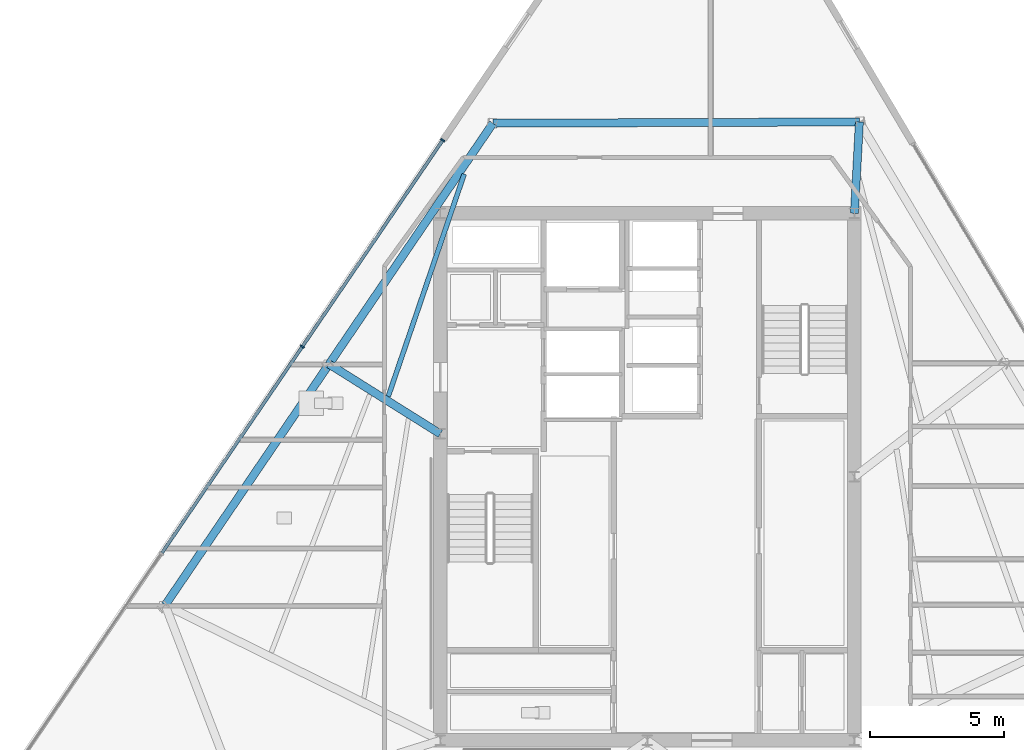
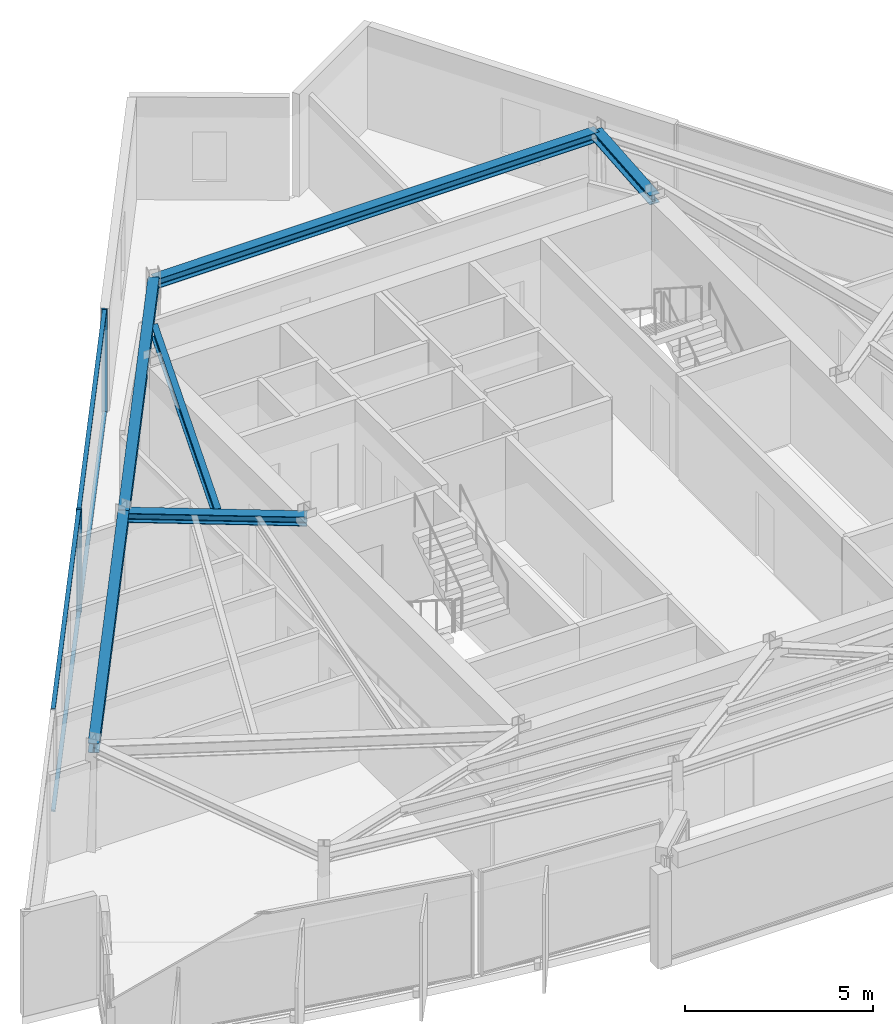
# One storey, part 4 of 13: 6 beams, 6 members, 1 element without a shape of its own.
"""IFC4 building model written with IfcOpenShell, lengths in metres."""

from ifc_helpers import new_model, si_unit, direction, frame, origin, origin_2d, place, context, subcontext, project, spatial, rectangle, i_section, extrude, material, material_profile, profile_set, type_object, element, aggregate, save


model = new_model("IFC4")

# Units and contexts
model_context = context("Model", 3, precision=1e-05, world=origin(), true_north=direction((0.0, 1.0)))
body_context = subcontext(model_context, "Body", "Model", "MODEL_VIEW")
ifc_project = project(units=[si_unit("LENGTHUNIT", "METRE"), si_unit("AREAUNIT", "SQUARE_METRE"), si_unit("VOLUMEUNIT", "CUBIC_METRE"), si_unit("PLANEANGLEUNIT", "RADIAN"), si_unit("MASSUNIT", "GRAM", prefix="KILO")], contexts=[model_context])

# Site, building, storey
site_placement = place(None, origin())
site = spatial("IfcSite", under=ifc_project, at=site_placement, CompositionType="ELEMENT")
building_placement = place(site_placement, origin())
building = spatial("IfcBuilding", under=site, at=building_placement, Name="Savorim Split Tower", CompositionType="ELEMENT")
storey_placement = place(building_placement, frame((0.0, 0.0, 286.800048828125)))
storey = spatial("IfcBuildingStorey", under=building, at=storey_placement, Name="L76", CompositionType="ELEMENT", Elevation=286.800048828125)

# Beams
ifc_material_1 = material(Name="Steel S355", Category="steel")
ifc_material_profile_1 = material_profile(ifc_material_1, i_section(OverallWidth=0.179931640625, OverallDepth=0.39990234375, WebThickness=0.008544921875, FlangeThickness=0.013427734375, FilletRadius=0.02099609375, at=origin_2d()), Name="IPE 400")
ifc_profile_set_1 = profile_set([ifc_material_profile_1], Name="Steel S355")
beam_type_1 = type_object("IfcBeamType", Name="BM-JST-IPE400", PredefinedType="JOIST", material=ifc_profile_set_1)
beam_1_placement = place(storey_placement, frame((-6.811767578125, 11.6572265625, 3.14990234375), z_axis=(-0.32324952897, -0.946313765102, 0.0), x_axis=(0.946313765102, -0.32324952897, 0.0)))
element("IfcBeam", 1, at=beam_1_placement, inside=storey, type_object=beam_type_1, Name="L76 Secondary Floor Joist JS-09", PredefinedType="JOIST", context=body_context, shape_type="SweptSolid", body=[
    extrude(i_section(OverallWidth=0.179931640625, OverallDepth=0.39990234375, WebThickness=0.008544921875, FlangeThickness=0.013427734375, FilletRadius=0.02099609375, at=origin_2d()), origin(), (0.0, 0.0, 1.0), 8.730224609375),
])
ifc_material_profile_2 = material_profile(ifc_material_1, i_section(OverallWidth=0.300048828125, OverallDepth=0.300048828125, WebThickness=0.010986328125, FlangeThickness=0.01904296875, FilletRadius=0.027099609375, at=origin_2d()), Name="HEB 300")
ifc_profile_set_2 = profile_set([ifc_material_profile_2], Name="Steel S355")
beam_type_2 = type_object("IfcBeamType", Name="BM-PRI-HEB300", PredefinedType="BEAM", material=ifc_profile_set_2)
beam_2_placement = place(storey_placement, frame((7.885009765625, 13.60009765625, 3.199951171875), z_axis=(-0.054346218955, -0.998522152226, 0.0), x_axis=(0.998522152226, -0.054346218955, 0.0)))
element("IfcBeam", 2, at=beam_2_placement, inside=storey, type_object=beam_type_2, Name="L76 Primary Floor Girder RG-07", PredefinedType="BEAM", context=body_context, shape_type="SweptSolid", body=[
    extrude(i_section(OverallWidth=0.300048828125, OverallDepth=0.300048828125, WebThickness=0.010986328125, FlangeThickness=0.01904296875, FilletRadius=0.027099609375, at=origin_2d()), origin(), (0.0, 0.0, 1.0), 3.4052734375),
])
beam_3_placement = place(storey_placement, frame((-11.83642578125, 4.592529296875, 3.199951171875), z_axis=(0.847331761566, -0.531063918791, 0.0), x_axis=(0.531063918791, 0.847331761566, 0.0)))
element("IfcBeam", 3, at=beam_3_placement, inside=storey, type_object=beam_type_2, Name="L76 Primary Floor Girder RG-09", PredefinedType="BEAM", context=body_context, shape_type="SweptSolid", body=[
    extrude(i_section(OverallWidth=0.300048828125, OverallDepth=0.300048828125, WebThickness=0.010986328125, FlangeThickness=0.01904296875, FilletRadius=0.027099609375, at=origin_2d()), origin(), (0.0, 0.0, 1.0), 4.8818359375),
])
ifc_material_profile_3 = material_profile(ifc_material_1, i_section(OverallWidth=0.300048828125, OverallDepth=0.31005859375, WebThickness=0.009033203125, FlangeThickness=0.015380859375, FilletRadius=0.027099609375, at=origin_2d()), Name="HEA 320")
ifc_profile_set_3 = profile_set([ifc_material_profile_3], Name="Steel S355")
beam_type_3 = type_object("IfcBeamType", Name="BM-SPN-HEA320", PredefinedType="SPANDREL", material=ifc_profile_set_3)
beam_4_placement = place(storey_placement, frame((7.885009765625, 13.60009765625, 3.195068359375), z_axis=(-0.999993644429, -0.00356526328, 0.0), x_axis=(0.00356526328, -0.999993644429, 0.0)))
element("IfcBeam", 4, at=beam_4_placement, inside=storey, type_object=beam_type_3, Name="L76 Perimeter Spandrel Beam 7", PredefinedType="SPANDREL", context=body_context, shape_type="SweptSolid", body=[
    extrude(i_section(OverallWidth=0.300048828125, OverallDepth=0.31005859375, WebThickness=0.009033203125, FlangeThickness=0.015380859375, FilletRadius=0.027099609375, at=origin_2d()), origin(), (0.0, 0.0, 1.0), 13.626953125),
])
for number, where, z_axis, x_axis, name in (
    (5, (-5.741943359375, 13.551513671875, 3.195068359375), (-0.562459771822, -0.826824651956, 0.0), (0.826824651956, -0.562459771822, 0.0), "L76 Perimeter Spandrel Beam 8"),
    (6, (-11.83642578125, 4.592529296875, 3.195068359375), (-0.562459771822, -0.826824651956, 0.0), (0.826824651956, -0.562459771822, 0.0), "L76 Perimeter Spandrel Beam 9"),
):
    element("IfcBeam", number, at=place(storey_placement, frame(where, z_axis=z_axis, x_axis=x_axis)), inside=storey, type_object=beam_type_3, Name=name, PredefinedType="SPANDREL", context=body_context, shape_type="SweptSolid", body=[
        extrude(i_section(OverallWidth=0.300048828125, OverallDepth=0.31005859375, WebThickness=0.009033203125, FlangeThickness=0.015380859375, FilletRadius=0.027099609375, at=origin_2d()), origin(), (0.0, 0.0, 1.0), 10.83544921875),
    ])

# Curtain wall, members
ifc_material_2 = material(Name="Dark Ceramic-Fritted Insulated Glass", Category="glass")
curtain_wall_type = type_object("IfcCurtainWallType", Name="CW-TWR-FRIT-B", PredefinedType="NOTDEFINED", material=ifc_material_2)
curtain_wall_placement = place(storey_placement, origin())
curtain_wall = element("IfcCurtainWall", 7, at=curtain_wall_placement, inside=storey, type_object=curtain_wall_type, Name="L76 Curtain Wall CW-L76-WEST", PredefinedType="NOTDEFINED")
ifc_material_3 = material(Name="Charcoal Anodised Aluminium", Category="aluminium")
ifc_material_profile_4 = material_profile(ifc_material_3, rectangle(XDim=0.159912109375, YDim=0.06005859375, at=origin_2d()), Name="ALU-M 160x60")
ifc_profile_set_4 = profile_set([ifc_material_profile_4], Name="Charcoal Anodised Aluminium")
member_type_1 = type_object("IfcMemberType", Name="CWM-160x60", PredefinedType="MULLION", material=ifc_profile_set_4)
member_1_placement = place(storey_placement, frame((-7.610107421875, 12.919677734375, 0.0), z_axis=(0.0, 0.0, 1.0), x_axis=(0.826817636776, -0.562470084107, 0.0)))
member_1 = element("IfcMember", 8, at=member_1_placement, type_object=member_type_1, Name="CW-03 mullion 1", PredefinedType="MULLION", context=body_context, shape_type="SweptSolid", body=[
    extrude(rectangle(XDim=0.159912109375, YDim=0.06005859375, at=origin_2d()), origin(), (0.0, 0.0, 1.0), 3.349853515625),
])
member_2_placement = place(storey_placement, frame((-12.831298828125, 5.24462890625, 0.0), z_axis=(0.0, 0.0, 1.0), x_axis=(0.826817636776, -0.562470084107, 0.0)))
member_2 = element("IfcMember", 9, at=member_2_placement, type_object=member_type_1, Name="CW-03 mullion 2", PredefinedType="MULLION", context=body_context, shape_type="SweptSolid", body=[
    extrude(rectangle(XDim=0.159912109375, YDim=0.06005859375, at=origin_2d()), origin(), (0.0, 0.0, 1.0), 3.349853515625),
])
ifc_material_profile_5 = material_profile(ifc_material_3, rectangle(XDim=0.1201171875, YDim=0.050048828125, at=origin_2d()), Name="ALU-T 120x50")
ifc_profile_set_5 = profile_set([ifc_material_profile_5], Name="Charcoal Anodised Aluminium")
member_type_2 = type_object("IfcMemberType", Name="CWT-120x50", PredefinedType="USERDEFINED", material=ifc_profile_set_5)
member_3_placement = place(storey_placement, frame((-7.626953125, 12.894775390625, 0.02490234375), z_axis=(-0.562483063677, -0.826808806845, 0.0), x_axis=(0.826808806845, -0.562483063677, 0.0)))
member_3 = element("IfcMember", 10, at=member_3_placement, type_object=member_type_2, Name="CW-03 transom 1.1", ObjectType="TRANSOM", PredefinedType="USERDEFINED", context=body_context, shape_type="SweptSolid", body=[
    extrude(rectangle(XDim=0.1201171875, YDim=0.050048828125, at=origin_2d()), origin(), (0.0, 0.0, 1.0), 9.222412109375),
])
member_4_placement = place(storey_placement, frame((-7.626953125, 12.894775390625, 3.324951171875), z_axis=(-0.562483063677, -0.826808806845, 0.0), x_axis=(0.826808806845, -0.562483063677, 0.0)))
member_4 = element("IfcMember", 11, at=member_4_placement, type_object=member_type_2, Name="CW-03 transom 1.2", ObjectType="TRANSOM", PredefinedType="USERDEFINED", context=body_context, shape_type="SweptSolid", body=[
    extrude(rectangle(XDim=0.1201171875, YDim=0.050048828125, at=origin_2d()), origin(), (0.0, 0.0, 1.0), 9.222412109375),
])
member_5_placement = place(storey_placement, frame((-12.84814453125, 5.219970703125, 0.02490234375), z_axis=(-0.562463735755, -0.826821955417, 0.0), x_axis=(0.826821955417, -0.562463735755, 0.0)))
member_5 = element("IfcMember", 12, at=member_5_placement, type_object=member_type_2, Name="CW-03 transom 2.1", ObjectType="TRANSOM", PredefinedType="USERDEFINED", context=body_context, shape_type="SweptSolid", body=[
    extrude(rectangle(XDim=0.1201171875, YDim=0.050048828125, at=origin_2d()), origin(), (0.0, 0.0, 1.0), 9.252685546875),
])
member_6_placement = place(storey_placement, frame((-12.84814453125, 5.219970703125, 3.324951171875), z_axis=(-0.562463735755, -0.826821955417, 0.0), x_axis=(0.826821955417, -0.562463735755, 0.0)))
member_6 = element("IfcMember", 13, at=member_6_placement, type_object=member_type_2, Name="CW-03 transom 2.2", ObjectType="TRANSOM", PredefinedType="USERDEFINED", context=body_context, shape_type="SweptSolid", body=[
    extrude(rectangle(XDim=0.1201171875, YDim=0.050048828125, at=origin_2d()), origin(), (0.0, 0.0, 1.0), 9.252685546875),
])
aggregate(curtain_wall, [member_1, member_2, member_3, member_4, member_5, member_6])

save(model, "model.ifc")
